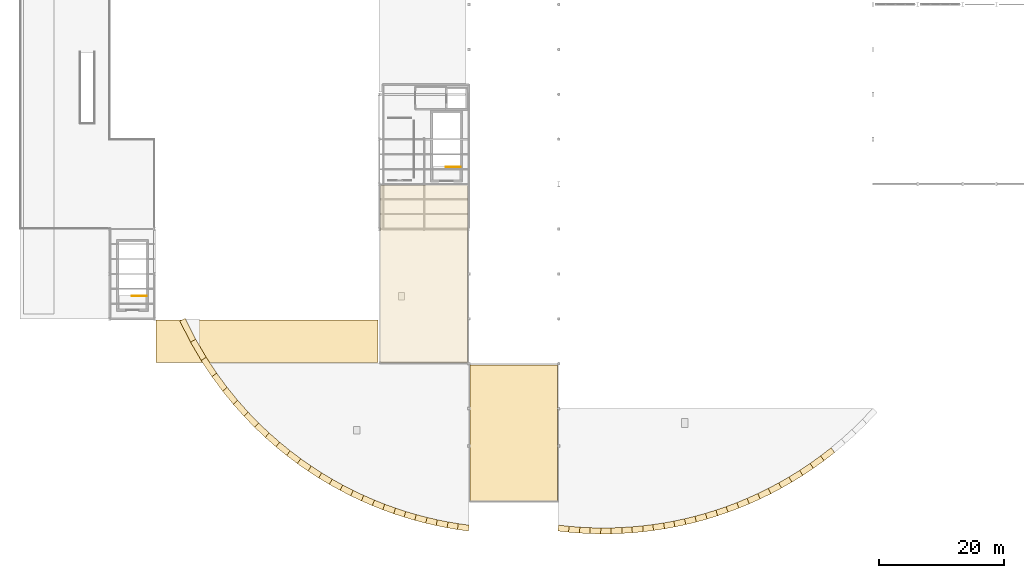
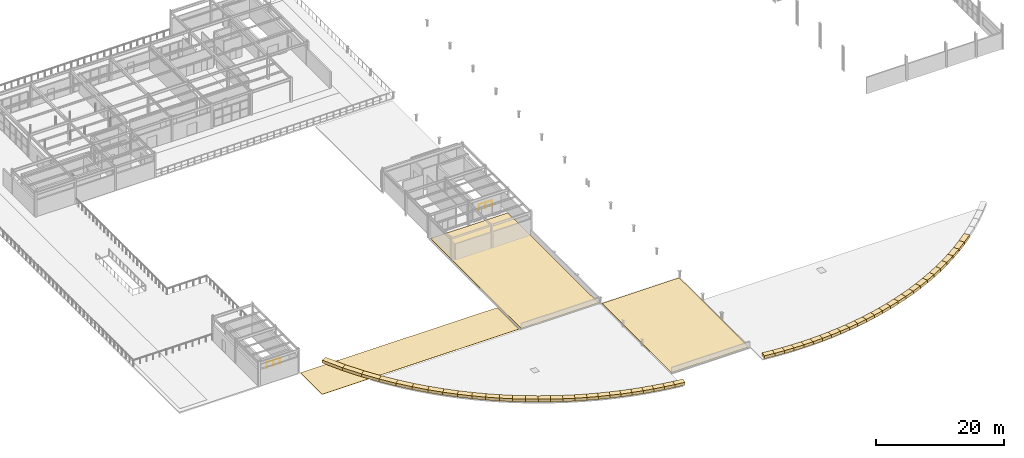
# One storey, part 39 of 41: 56 coverings, 2 railings.
"""IFC4 building model written with IfcOpenShell, lengths in metres."""

from ifc_helpers import new_model, si_unit, direction, frame, origin, origin_2d, place, context, subcontext, project, spatial, polyline, rectangle, circle, outline, extrude, material, layer, layer_set, type_object, element, save


model = new_model("IFC4")

# Units and contexts
model_context = context("Model", 3, precision=1e-05, world=origin(), true_north=direction((0.0, 1.0)))
body_context = subcontext(model_context, "Body", "Model", "MODEL_VIEW")
ifc_project = project(units=[si_unit("LENGTHUNIT", "METRE"), si_unit("AREAUNIT", "SQUARE_METRE"), si_unit("VOLUMEUNIT", "CUBIC_METRE"), si_unit("PLANEANGLEUNIT", "RADIAN"), si_unit("MASSUNIT", "GRAM", prefix="KILO")], contexts=[model_context])

# Site, building, storey
site_placement = place(None, origin())
site = spatial("IfcSite", under=ifc_project, at=site_placement, CompositionType="ELEMENT")
building_placement = place(site_placement, origin())
building = spatial("IfcBuilding", under=site, at=building_placement, Name="Solvadek Multi-Sports Hall", CompositionType="ELEMENT")
storey_placement = place(building_placement, frame((0.0, 0.0, 14.39990234375)))
storey = spatial("IfcBuildingStorey", under=building, at=storey_placement, Name="L03", CompositionType="ELEMENT", Elevation=14.39990234375)

# Coverings
ifc_material_1 = material(Name="Dressed honey-cream limestone ashlar", Category="masonry")
ifc_layer_1 = layer(ifc_material_1, 0.044921875, Name="Dressed honey-cream limestone ashlar")
ifc_layer_set_1 = layer_set([ifc_layer_1], Name="Dressed honey-cream limestone ashlar")
covering_type_1 = type_object("IfcCoveringType", Name="ENV-COV-CLAD45", PredefinedType="CLADDING", material=ifc_layer_set_1)
covering_1_placement = place(storey_placement, frame((26.92333984375, 18.543701171875, 0.68994140625), z_axis=(0.0, 0.0, 1.0), x_axis=(0.451555495273, -0.892243035663, 0.0)))
element("IfcCovering", 1, at=covering_1_placement, inside=storey, type_object=covering_type_1, Name="Crescent Ottoman Crown Cornice W-1", PredefinedType="CLADDING", context=body_context, shape_type="SweptSolid", body=[
    extrude(rectangle(XDim=3.7958984375, YDim=0.949951171875, at=origin_2d()), origin(), (0.0, 0.0, 1.0), 0.550048828125),
])
covering_2_placement = place(storey_placement, frame((28.622314453125, 15.412841796875, 0.68994140625), z_axis=(0.0, 0.0, 1.0), x_axis=(0.504933392767, -0.863158310432, 0.0)))
element("IfcCovering", 2, at=covering_2_placement, inside=storey, type_object=covering_type_1, Name="Crescent Ottoman Crown Cornice W-2", PredefinedType="CLADDING", context=body_context, shape_type="SweptSolid", body=[
    extrude(rectangle(XDim=3.40087890625, YDim=0.949951171875, at=origin_2d()), origin(), (0.0, 0.0, 1.0), 0.550048828125),
])
covering_3_placement = place(storey_placement, frame((30.321533203125, 12.676025390625, 0.68994140625), z_axis=(0.0, 0.0, 1.0), x_axis=(0.551610038251, -0.834102131457, 0.0)))
element("IfcCovering", 3, at=covering_3_placement, inside=storey, type_object=covering_type_1, Name="Crescent Ottoman Crown Cornice W-3", PredefinedType="CLADDING", context=body_context, shape_type="SweptSolid", body=[
    extrude(rectangle(XDim=3.117919921875, YDim=0.949951171875, at=origin_2d()), origin(), (0.0, 0.0, 1.0), 0.550048828125),
])
covering_4_placement = place(storey_placement, frame((32.0205078125, 10.238525390625, 0.68994140625), z_axis=(0.0, 0.0, 1.0), x_axis=(0.593159455627, -0.805085001848, 0.0)))
element("IfcCovering", 4, at=covering_4_placement, inside=storey, type_object=covering_type_1, Name="Crescent Ottoman Crown Cornice W-4", PredefinedType="CLADDING", context=body_context, shape_type="SweptSolid", body=[
    extrude(rectangle(XDim=2.904052734375, YDim=0.949951171875, at=origin_2d()), origin(), (0.0, 0.0, 1.0), 0.550048828125),
])
covering_5_placement = place(storey_placement, frame((33.719482421875, 8.0400390625, 0.68994140625), z_axis=(0.0, 0.0, 1.0), x_axis=(0.630677076434, -0.776045375774, 0.0)))
element("IfcCovering", 5, at=covering_5_placement, inside=storey, type_object=covering_type_1, Name="Crescent Ottoman Crown Cornice W-5", PredefinedType="CLADDING", context=body_context, shape_type="SweptSolid", body=[
    extrude(rectangle(XDim=2.735107421875, YDim=0.949951171875, at=origin_2d()), origin(), (0.0, 0.0, 1.0), 0.550048828125),
])
covering_6_placement = place(storey_placement, frame((35.418701171875, 6.0400390625, 0.68994140625), z_axis=(0.0, 0.0, 1.0), x_axis=(0.664767330468, -0.747050464388, 0.0)))
element("IfcCovering", 6, at=covering_6_placement, inside=storey, type_object=covering_type_1, Name="Crescent Ottoman Crown Cornice W-6", PredefinedType="CLADDING", context=body_context, shape_type="SweptSolid", body=[
    extrude(rectangle(XDim=2.597900390625, YDim=0.949951171875, at=origin_2d()), origin(), (0.0, 0.0, 1.0), 0.550048828125),
])
covering_7_placement = place(storey_placement, frame((37.11767578125, 4.208984375, 0.68994140625), z_axis=(0.0, 0.0, 1.0), x_axis=(0.696004704957, -0.718037220956, 0.0)))
element("IfcCovering", 7, at=covering_7_placement, inside=storey, type_object=covering_type_1, Name="Crescent Ottoman Crown Cornice W-7", PredefinedType="CLADDING", context=body_context, shape_type="SweptSolid", body=[
    extrude(rectangle(XDim=2.48388671875, YDim=0.949951171875, at=origin_2d()), origin(), (0.0, 0.0, 1.0), 0.550048828125),
])
covering_8_placement = place(storey_placement, frame((38.816650390625, 2.52490234375, 0.68994140625), z_axis=(0.0, 0.0, 1.0), x_axis=(0.724733346655, -0.689029445123, 0.0)))
element("IfcCovering", 8, at=covering_8_placement, inside=storey, type_object=covering_type_1, Name="Crescent Ottoman Crown Cornice W-8", PredefinedType="CLADDING", context=body_context, shape_type="SweptSolid", body=[
    extrude(rectangle(XDim=2.386962890625, YDim=0.949951171875, at=origin_2d()), origin(), (0.0, 0.0, 1.0), 0.550048828125),
])
covering_9_placement = place(storey_placement, frame((40.515625, 0.970947265625, 0.68994140625), z_axis=(0.0, 0.0, 1.0), x_axis=(0.751215081629, -0.660057498353, 0.0)))
element("IfcCovering", 9, at=covering_9_placement, inside=storey, type_object=covering_type_1, Name="Crescent Ottoman Crown Cornice W-9", PredefinedType="CLADDING", context=body_context, shape_type="SweptSolid", body=[
    extrude(rectangle(XDim=2.305908203125, YDim=0.949951171875, at=origin_2d()), origin(), (0.0, 0.0, 1.0), 0.550048828125),
])
covering_10_placement = place(storey_placement, frame((42.21484375, -0.466552734375, 0.68994140625), z_axis=(0.0, 0.0, 1.0), x_axis=(0.775755175732, -0.631033998549, 0.0)))
element("IfcCovering", 10, at=covering_10_placement, inside=storey, type_object=covering_type_1, Name="Crescent Ottoman Crown Cornice W-10", PredefinedType="CLADDING", context=body_context, shape_type="SweptSolid", body=[
    extrude(rectangle(XDim=2.235107421875, YDim=0.949951171875, at=origin_2d()), origin(), (0.0, 0.0, 1.0), 0.550048828125),
])
covering_11_placement = place(storey_placement, frame((43.913818359375, -1.798095703125, 0.68994140625), z_axis=(0.0, 0.0, 1.0), x_axis=(0.798475077393, -0.602027865453, 0.0)))
element("IfcCovering", 11, at=covering_11_placement, inside=storey, type_object=covering_type_1, Name="Crescent Ottoman Crown Cornice W-11", PredefinedType="CLADDING", context=body_context, shape_type="SweptSolid", body=[
    extrude(rectangle(XDim=2.173095703125, YDim=0.949951171875, at=origin_2d()), origin(), (0.0, 0.0, 1.0), 0.550048828125),
])
covering_12_placement = place(storey_placement, frame((45.61279296875, -3.03271484375, 0.68994140625), z_axis=(0.0, 0.0, 1.0), x_axis=(0.819512548695, -0.573061238029, 0.0)))
element("IfcCovering", 12, at=covering_12_placement, inside=storey, type_object=covering_type_1, Name="Crescent Ottoman Crown Cornice W-12", PredefinedType="CLADDING", context=body_context, shape_type="SweptSolid", body=[
    extrude(rectangle(XDim=2.117919921875, YDim=0.949951171875, at=origin_2d()), origin(), (0.0, 0.0, 1.0), 0.550048828125),
])
covering_13_placement = place(storey_placement, frame((47.31201171875, -4.177490234375, 0.68994140625), z_axis=(0.0, 0.0, 1.0), x_axis=(0.839053337602, -0.544049167502, 0.0)))
element("IfcCovering", 13, at=covering_13_placement, inside=storey, type_object=covering_type_1, Name="Crescent Ottoman Crown Cornice W-13", PredefinedType="CLADDING", context=body_context, shape_type="SweptSolid", body=[
    extrude(rectangle(XDim=2.070068359375, YDim=0.949951171875, at=origin_2d()), origin(), (0.0, 0.0, 1.0), 0.550048828125),
])
covering_14_placement = place(storey_placement, frame((49.010986328125, -5.239013671875, 0.68994140625), z_axis=(0.0, 0.0, 1.0), x_axis=(0.857129541862, -0.515100910956, 0.0)))
element("IfcCovering", 14, at=covering_14_placement, inside=storey, type_object=covering_type_1, Name="Crescent Ottoman Crown Cornice W-14", PredefinedType="CLADDING", context=body_context, shape_type="SweptSolid", body=[
    extrude(rectangle(XDim=2.028076171875, YDim=0.949951171875, at=origin_2d()), origin(), (0.0, 0.0, 1.0), 0.550048828125),
])
covering_15_placement = place(storey_placement, frame((50.7099609375, -6.221923828125, 0.68994140625), z_axis=(0.0, 0.0, 1.0), x_axis=(0.873929914462, -0.486051956696, 0.0)))
element("IfcCovering", 15, at=covering_15_placement, inside=storey, type_object=covering_type_1, Name="Crescent Ottoman Crown Cornice W-15", PredefinedType="CLADDING", context=body_context, shape_type="SweptSolid", body=[
    extrude(rectangle(XDim=1.989990234375, YDim=0.949951171875, at=origin_2d()), origin(), (0.0, 0.0, 1.0), 0.550048828125),
])
covering_16_placement = place(storey_placement, frame((52.4091796875, -7.131103515625, 0.68994140625), z_axis=(0.0, 0.0, 1.0), x_axis=(0.889426842209, -0.457077556174, 0.0)))
element("IfcCovering", 16, at=covering_16_placement, inside=storey, type_object=covering_type_1, Name="Crescent Ottoman Crown Cornice W-16", PredefinedType="CLADDING", context=body_context, shape_type="SweptSolid", body=[
    extrude(rectangle(XDim=1.95703125, YDim=0.949951171875, at=origin_2d()), origin(), (0.0, 0.0, 1.0), 0.550048828125),
])
covering_17_placement = place(storey_placement, frame((54.108154296875, -7.969970703125, 0.68994140625), z_axis=(0.0, 0.0, 1.0), x_axis=(0.903719292524, -0.428125495994, 0.0)))
element("IfcCovering", 17, at=covering_17_placement, inside=storey, type_object=covering_type_1, Name="Crescent Ottoman Crown Cornice W-17", PredefinedType="CLADDING", context=body_context, shape_type="SweptSolid", body=[
    extrude(rectangle(XDim=1.927001953125, YDim=0.949951171875, at=origin_2d()), origin(), (0.0, 0.0, 1.0), 0.550048828125),
])
covering_18_placement = place(storey_placement, frame((55.80712890625, -8.7421875, 0.68994140625), z_axis=(0.0, 0.0, 1.0), x_axis=(0.916917898667, -0.399075891409, 0.0)))
element("IfcCovering", 18, at=covering_18_placement, inside=storey, type_object=covering_type_1, Name="Crescent Ottoman Crown Cornice W-18", PredefinedType="CLADDING", context=body_context, shape_type="SweptSolid", body=[
    extrude(rectangle(XDim=1.89990234375, YDim=0.949951171875, at=origin_2d()), origin(), (0.0, 0.0, 1.0), 0.550048828125),
])
covering_19_placement = place(storey_placement, frame((57.506103515625, -9.450439453125, 0.68994140625), z_axis=(0.0, 0.0, 1.0), x_axis=(0.92898095972, -0.370127513808, 0.0)))
element("IfcCovering", 19, at=covering_19_placement, inside=storey, type_object=covering_type_1, Name="Crescent Ottoman Crown Cornice W-19", PredefinedType="CLADDING", context=body_context, shape_type="SweptSolid", body=[
    extrude(rectangle(XDim=1.8759765625, YDim=0.949951171875, at=origin_2d()), origin(), (0.0, 0.0, 1.0), 0.550048828125),
])
covering_20_placement = place(storey_placement, frame((59.205322265625, -10.09716796875, 0.68994140625), z_axis=(0.0, 0.0, 1.0), x_axis=(0.940004762404, -0.341161320576, 0.0)))
element("IfcCovering", 20, at=covering_20_placement, inside=storey, type_object=covering_type_1, Name="Crescent Ottoman Crown Cornice W-20", PredefinedType="CLADDING", context=body_context, shape_type="SweptSolid", body=[
    extrude(rectangle(XDim=1.85400390625, YDim=0.949951171875, at=origin_2d()), origin(), (0.0, 0.0, 1.0), 0.550048828125),
])
covering_21_placement = place(storey_placement, frame((60.904296875, -10.6845703125, 0.68994140625), z_axis=(0.0, 0.0, 1.0), x_axis=(0.950042962408, -0.312119159264, 0.0)))
element("IfcCovering", 21, at=covering_21_placement, inside=storey, type_object=covering_type_1, Name="Crescent Ottoman Crown Cornice W-21", PredefinedType="CLADDING", context=body_context, shape_type="SweptSolid", body=[
    extrude(rectangle(XDim=1.8359375, YDim=0.949951171875, at=origin_2d()), origin(), (0.0, 0.0, 1.0), 0.550048828125),
])
covering_22_placement = place(storey_placement, frame((62.603271484375, -11.214599609375, 0.68994140625), z_axis=(0.0, 0.0, 1.0), x_axis=(0.959064393359, -0.2831880813, 0.0)))
element("IfcCovering", 22, at=covering_22_placement, inside=storey, type_object=covering_type_1, Name="Crescent Ottoman Crown Cornice W-22", PredefinedType="CLADDING", context=body_context, shape_type="SweptSolid", body=[
    extrude(rectangle(XDim=1.819091796875, YDim=0.949951171875, at=origin_2d()), origin(), (0.0, 0.0, 1.0), 0.550048828125),
])
covering_23_placement = place(storey_placement, frame((64.302490234375, -11.688720703125, 0.68994140625), z_axis=(0.0, 0.0, 1.0), x_axis=(0.967172504077, -0.25412073382, 0.0)))
element("IfcCovering", 23, at=covering_23_placement, inside=storey, type_object=covering_type_1, Name="Crescent Ottoman Crown Cornice W-23", PredefinedType="CLADDING", context=body_context, shape_type="SweptSolid", body=[
    extrude(rectangle(XDim=1.803955078125, YDim=0.949951171875, at=origin_2d()), origin(), (0.0, 0.0, 1.0), 0.550048828125),
])
covering_24_placement = place(storey_placement, frame((66.00146484375, -12.108154296875, 0.68994140625), z_axis=(0.0, 0.0, 1.0), x_axis=(0.974313261817, -0.225196953459, 0.0)))
element("IfcCovering", 24, at=covering_24_placement, inside=storey, type_object=covering_type_1, Name="Crescent Ottoman Crown Cornice W-24", PredefinedType="CLADDING", context=body_context, shape_type="SweptSolid", body=[
    extrude(rectangle(XDim=1.791015625, YDim=0.949951171875, at=origin_2d()), origin(), (0.0, 0.0, 1.0), 0.550048828125),
])
covering_25_placement = place(storey_placement, frame((67.700439453125, -12.474609375, 0.68994140625), z_axis=(0.0, 0.0, 1.0), x_axis=(0.980567259161, -0.196183205861, 0.0)))
element("IfcCovering", 25, at=covering_25_placement, inside=storey, type_object=covering_type_1, Name="Crescent Ottoman Crown Cornice W-25", PredefinedType="CLADDING", context=body_context, shape_type="SweptSolid", body=[
    extrude(rectangle(XDim=1.780029296875, YDim=0.949951171875, at=origin_2d()), origin(), (0.0, 0.0, 1.0), 0.550048828125),
])
covering_26_placement = place(storey_placement, frame((69.3994140625, -12.78857421875, 0.68994140625), z_axis=(0.0, 0.0, 1.0), x_axis=(0.985919127793, -0.16722282575, 0.0)))
element("IfcCovering", 26, at=covering_26_placement, inside=storey, type_object=covering_type_1, Name="Crescent Ottoman Crown Cornice W-26", PredefinedType="CLADDING", context=body_context, shape_type="SweptSolid", body=[
    extrude(rectangle(XDim=1.77099609375, YDim=0.949951171875, at=origin_2d()), origin(), (0.0, 0.0, 1.0), 0.550048828125),
])
covering_27_placement = place(storey_placement, frame((71.098388671875, -13.05126953125, 0.68994140625), z_axis=(0.0, 0.0, 1.0), x_axis=(0.990403400267, -0.138206746357, 0.0)))
element("IfcCovering", 27, at=covering_27_placement, inside=storey, type_object=covering_type_1, Name="Crescent Ottoman Crown Cornice W-27", PredefinedType="CLADDING", context=body_context, shape_type="SweptSolid", body=[
    extrude(rectangle(XDim=1.762939453125, YDim=0.949951171875, at=origin_2d()), origin(), (0.0, 0.0, 1.0), 0.550048828125),
])
covering_28_placement = place(storey_placement, frame((87.194091796875, -13.2626953125, 0.68994140625), z_axis=(0.0, 0.0, 1.0), x_axis=(0.99401078481, -0.109282019021, 0.0)))
element("IfcCovering", 28, at=covering_28_placement, inside=storey, type_object=covering_type_1, Name="Crescent Ottoman Crown Cornice E-1", PredefinedType="CLADDING", context=body_context, shape_type="SweptSolid", body=[
    extrude(rectangle(XDim=1.75, YDim=0.949951171875, at=origin_2d()), origin(), (0.0, 0.0, 1.0), 0.550048828125),
])
covering_29_placement = place(storey_placement, frame((88.88623046875, -13.424072265625, 0.68994140625), z_axis=(0.0, 0.0, 1.0), x_axis=(0.996758432085, -0.080452644873, 0.0)))
element("IfcCovering", 29, at=covering_29_placement, inside=storey, type_object=covering_type_1, Name="Crescent Ottoman Crown Cornice E-2", PredefinedType="CLADDING", context=body_context, shape_type="SweptSolid", body=[
    extrude(rectangle(XDim=1.7451171875, YDim=0.949951171875, at=origin_2d()), origin(), (0.0, 0.0, 1.0), 0.550048828125),
])
covering_30_placement = place(storey_placement, frame((90.578369140625, -13.535888671875, 0.68994140625), z_axis=(0.0, 0.0, 1.0), x_axis=(0.998671005445, -0.051538557245, 0.0)))
element("IfcCovering", 30, at=covering_30_placement, inside=storey, type_object=covering_type_1, Name="Crescent Ottoman Crown Cornice E-3", PredefinedType="CLADDING", context=body_context, shape_type="SweptSolid", body=[
    extrude(rectangle(XDim=1.741943359375, YDim=0.949951171875, at=origin_2d()), origin(), (0.0, 0.0, 1.0), 0.550048828125),
])
for number, where, z_axis, x_axis, name in (
    (31, (92.2705078125, -13.598876953125, 0.68994140625), (0.0, 0.0, 1.0), (0.999742940353, -0.02267274168, 0.0), "Crescent Ottoman Crown Cornice E-4"),
    (32, (93.962646484375, -13.61279296875, 0.68994140625), (0.0, 0.0, 1.0), (0.999980839553, 0.006190357575, 0.0), "Crescent Ottoman Crown Cornice E-5"),
):
    element("IfcCovering", number, at=place(storey_placement, frame(where, z_axis=z_axis, x_axis=x_axis)), inside=storey, type_object=covering_type_1, Name=name, PredefinedType="CLADDING", context=body_context, shape_type="SweptSolid", body=[
        extrude(rectangle(XDim=1.739990234375, YDim=0.949951171875, at=origin_2d()), origin(), (0.0, 0.0, 1.0), 0.550048828125),
    ])
covering_31_placement = place(storey_placement, frame((95.65478515625, -13.577880859375, 0.68994140625), z_axis=(0.0, 0.0, 1.0), x_axis=(0.999385980888, 0.035037996585, 0.0)))
element("IfcCovering", 33, at=covering_31_placement, inside=storey, type_object=covering_type_1, Name="Crescent Ottoman Crown Cornice E-6", PredefinedType="CLADDING", context=body_context, shape_type="SweptSolid", body=[
    extrude(rectangle(XDim=1.740966796875, YDim=0.949951171875, at=origin_2d()), origin(), (0.0, 0.0, 1.0), 0.550048828125),
])
covering_32_placement = place(storey_placement, frame((97.346923828125, -13.494140625, 0.68994140625), z_axis=(0.0, 0.0, 1.0), x_axis=(0.997955239955, 0.063916657037, 0.0)))
element("IfcCovering", 34, at=covering_32_placement, inside=storey, type_object=covering_type_1, Name="Crescent Ottoman Crown Cornice E-7", PredefinedType="CLADDING", context=body_context, shape_type="SweptSolid", body=[
    extrude(rectangle(XDim=1.742919921875, YDim=0.949951171875, at=origin_2d()), origin(), (0.0, 0.0, 1.0), 0.550048828125),
])
covering_33_placement = place(storey_placement, frame((99.0390625, -13.361083984375, 0.68994140625), z_axis=(0.0, 0.0, 1.0), x_axis=(0.995683656408, 0.092811940833, 0.0)))
element("IfcCovering", 35, at=covering_33_placement, inside=storey, type_object=covering_type_1, Name="Crescent Ottoman Crown Cornice E-8", PredefinedType="CLADDING", context=body_context, shape_type="SweptSolid", body=[
    extrude(rectangle(XDim=1.7470703125, YDim=0.949951171875, at=origin_2d()), origin(), (0.0, 0.0, 1.0), 0.550048828125),
])
covering_34_placement = place(storey_placement, frame((100.731201171875, -13.178466796875, 0.68994140625), z_axis=(0.0, 0.0, 1.0), x_axis=(0.992573145786, 0.121649292087, 0.0)))
element("IfcCovering", 36, at=covering_34_placement, inside=storey, type_object=covering_type_1, Name="Crescent Ottoman Crown Cornice E-9", PredefinedType="CLADDING", context=body_context, shape_type="SweptSolid", body=[
    extrude(rectangle(XDim=1.7529296875, YDim=0.949951171875, at=origin_2d()), origin(), (0.0, 0.0, 1.0), 0.550048828125),
])
covering_35_placement = place(storey_placement, frame((102.42333984375, -12.94580078125, 0.68994140625), z_axis=(0.0, 0.0, 1.0), x_axis=(0.988605895809, 0.15052701675, 0.0)))
element("IfcCovering", 37, at=covering_35_placement, inside=storey, type_object=covering_type_1, Name="Crescent Ottoman Crown Cornice E-10", PredefinedType="CLADDING", context=body_context, shape_type="SweptSolid", body=[
    extrude(rectangle(XDim=1.759033203125, YDim=0.949951171875, at=origin_2d()), origin(), (0.0, 0.0, 1.0), 0.550048828125),
])
covering_36_placement = place(storey_placement, frame((104.115478515625, -12.662841796875, 0.68994140625), z_axis=(0.0, 0.0, 1.0), x_axis=(0.983772323835, 0.179421333339, 0.0)))
element("IfcCovering", 38, at=covering_36_placement, inside=storey, type_object=covering_type_1, Name="Crescent Ottoman Crown Cornice E-11", PredefinedType="CLADDING", context=body_context, shape_type="SweptSolid", body=[
    extrude(rectangle(XDim=1.76806640625, YDim=0.949951171875, at=origin_2d()), origin(), (0.0, 0.0, 1.0), 0.550048828125),
])
covering_37_placement = place(storey_placement, frame((105.807373046875, -12.328369140625, 0.68994140625), z_axis=(0.0, 0.0, 1.0), x_axis=(0.978075914323, 0.208248663432, 0.0)))
element("IfcCovering", 39, at=covering_37_placement, inside=storey, type_object=covering_type_1, Name="Crescent Ottoman Crown Cornice E-12", PredefinedType="CLADDING", context=body_context, shape_type="SweptSolid", body=[
    extrude(rectangle(XDim=1.778076171875, YDim=0.949951171875, at=origin_2d()), origin(), (0.0, 0.0, 1.0), 0.550048828125),
])
covering_38_placement = place(storey_placement, frame((107.49951171875, -11.941650390625, 0.68994140625), z_axis=(0.0, 0.0, 1.0), x_axis=(0.971474540489, 0.237143874435, 0.0)))
element("IfcCovering", 40, at=covering_38_placement, inside=storey, type_object=covering_type_1, Name="Crescent Ottoman Crown Cornice E-13", PredefinedType="CLADDING", context=body_context, shape_type="SweptSolid", body=[
    extrude(rectangle(XDim=1.7890625, YDim=0.949951171875, at=origin_2d()), origin(), (0.0, 0.0, 1.0), 0.550048828125),
])
covering_39_placement = place(storey_placement, frame((109.191650390625, -11.501708984375, 0.68994140625), z_axis=(0.0, 0.0, 1.0), x_axis=(0.963970297161, 0.266009898671, 0.0)))
element("IfcCovering", 41, at=covering_39_placement, inside=storey, type_object=covering_type_1, Name="Crescent Ottoman Crown Cornice E-14", PredefinedType="CLADDING", context=body_context, shape_type="SweptSolid", body=[
    extrude(rectangle(XDim=1.802978515625, YDim=0.949951171875, at=origin_2d()), origin(), (0.0, 0.0, 1.0), 0.550048828125),
])
covering_40_placement = place(storey_placement, frame((110.8837890625, -11.007080078125, 0.68994140625), z_axis=(0.0, 0.0, 1.0), x_axis=(0.955526555938, 0.294905070993, 0.0)))
element("IfcCovering", 42, at=covering_40_placement, inside=storey, type_object=covering_type_1, Name="Crescent Ottoman Crown Cornice E-15", PredefinedType="CLADDING", context=body_context, shape_type="SweptSolid", body=[
    extrude(rectangle(XDim=1.818115234375, YDim=0.949951171875, at=origin_2d()), origin(), (0.0, 0.0, 1.0), 0.550048828125),
])
covering_41_placement = place(storey_placement, frame((112.575927734375, -10.45654296875, 0.68994140625), z_axis=(0.0, 0.0, 1.0), x_axis=(0.946153090794, 0.323719521778, 0.0)))
element("IfcCovering", 43, at=covering_41_placement, inside=storey, type_object=covering_type_1, Name="Crescent Ottoman Crown Cornice E-16", PredefinedType="CLADDING", context=body_context, shape_type="SweptSolid", body=[
    extrude(rectangle(XDim=1.8359375, YDim=0.949951171875, at=origin_2d()), origin(), (0.0, 0.0, 1.0), 0.550048828125),
])
covering_42_placement = place(storey_placement, frame((114.26806640625, -9.84814453125, 0.68994140625), z_axis=(0.0, 0.0, 1.0), x_axis=(0.935760271469, 0.352636802305, 0.0)))
element("IfcCovering", 44, at=covering_42_placement, inside=storey, type_object=covering_type_1, Name="Crescent Ottoman Crown Cornice E-17", PredefinedType="CLADDING", context=body_context, shape_type="SweptSolid", body=[
    extrude(rectangle(XDim=1.85498046875, YDim=0.949951171875, at=origin_2d()), origin(), (0.0, 0.0, 1.0), 0.550048828125),
])
covering_43_placement = place(storey_placement, frame((115.960205078125, -9.18017578125, 0.68994140625), z_axis=(0.0, 0.0, 1.0), x_axis=(0.924380401082, 0.381471983369, 0.0)))
element("IfcCovering", 45, at=covering_43_placement, inside=storey, type_object=covering_type_1, Name="Crescent Ottoman Crown Cornice E-18", PredefinedType="CLADDING", context=body_context, shape_type="SweptSolid", body=[
    extrude(rectangle(XDim=1.876953125, YDim=0.949951171875, at=origin_2d()), origin(), (0.0, 0.0, 1.0), 0.550048828125),
])
covering_44_placement = place(storey_placement, frame((117.65234375, -8.4501953125, 0.68994140625), z_axis=(0.0, 0.0, 1.0), x_axis=(0.911921505175, 0.41036467733, 0.0)))
element("IfcCovering", 46, at=covering_44_placement, inside=storey, type_object=covering_type_1, Name="Crescent Ottoman Crown Cornice E-19", PredefinedType="CLADDING", context=body_context, shape_type="SweptSolid", body=[
    extrude(rectangle(XDim=1.902099609375, YDim=0.949951171875, at=origin_2d()), origin(), (0.0, 0.0, 1.0), 0.550048828125),
])
covering_45_placement = place(storey_placement, frame((119.344482421875, -7.656005859375, 0.68994140625), z_axis=(0.0, 0.0, 1.0), x_axis=(0.898370293848, 0.439238904392, 0.0)))
element("IfcCovering", 47, at=covering_45_placement, inside=storey, type_object=covering_type_1, Name="Crescent Ottoman Crown Cornice E-20", PredefinedType="CLADDING", context=body_context, shape_type="SweptSolid", body=[
    extrude(rectangle(XDim=1.929931640625, YDim=0.949951171875, at=origin_2d()), origin(), (0.0, 0.0, 1.0), 0.550048828125),
])
covering_46_placement = place(storey_placement, frame((121.03662109375, -6.794189453125, 0.68994140625), z_axis=(0.0, 0.0, 1.0), x_axis=(0.883681698244, 0.468088299565, 0.0)))
element("IfcCovering", 48, at=covering_46_placement, inside=storey, type_object=covering_type_1, Name="Crescent Ottoman Crown Cornice E-21", PredefinedType="CLADDING", context=body_context, shape_type="SweptSolid", body=[
    extrude(rectangle(XDim=1.9609375, YDim=0.949951171875, at=origin_2d()), origin(), (0.0, 0.0, 1.0), 0.550048828125),
])
covering_47_placement = place(storey_placement, frame((122.728759765625, -5.861328125, 0.68994140625), z_axis=(0.0, 0.0, 1.0), x_axis=(0.867753217729, 0.496995325049, 0.0)))
element("IfcCovering", 49, at=covering_47_placement, inside=storey, type_object=covering_type_1, Name="Crescent Ottoman Crown Cornice E-22", PredefinedType="CLADDING", context=body_context, shape_type="SweptSolid", body=[
    extrude(rectangle(XDim=1.99609375, YDim=0.949951171875, at=origin_2d()), origin(), (0.0, 0.0, 1.0), 0.550048828125),
])
covering_48_placement = place(storey_placement, frame((124.4208984375, -4.853759765625, 0.68994140625), z_axis=(0.0, 0.0, 1.0), x_axis=(0.850582217599, 0.525842078103, 0.0)))
element("IfcCovering", 50, at=covering_48_placement, inside=storey, type_object=covering_type_1, Name="Crescent Ottoman Crown Cornice E-23", PredefinedType="CLADDING", context=body_context, shape_type="SweptSolid", body=[
    extrude(rectangle(XDim=2.034912109375, YDim=0.949951171875, at=origin_2d()), origin(), (0.0, 0.0, 1.0), 0.550048828125),
])
covering_49_placement = place(storey_placement, frame((126.113037109375, -3.7666015625, 0.68994140625), z_axis=(0.0, 0.0, 1.0), x_axis=(0.832027435734, 0.5547344826, 0.0)))
element("IfcCovering", 51, at=covering_49_placement, inside=storey, type_object=covering_type_1, Name="Crescent Ottoman Crown Cornice E-24", PredefinedType="CLADDING", context=body_context, shape_type="SweptSolid", body=[
    extrude(rectangle(XDim=2.0791015625, YDim=0.949951171875, at=origin_2d()), origin(), (0.0, 0.0, 1.0), 0.550048828125),
])
covering_50_placement = place(storey_placement, frame((127.80517578125, -2.594482421875, 0.68994140625), z_axis=(0.0, 0.0, 1.0), x_axis=(0.812061184697, 0.583572302554, 0.0)))
element("IfcCovering", 52, at=covering_50_placement, inside=storey, type_object=covering_type_1, Name="Crescent Ottoman Crown Cornice E-25", PredefinedType="CLADDING", context=body_context, shape_type="SweptSolid", body=[
    extrude(rectangle(XDim=2.12890625, YDim=0.949951171875, at=origin_2d()), origin(), (0.0, 0.0, 1.0), 0.550048828125),
])
covering_51_placement = place(storey_placement, frame((129.497314453125, -1.3310546875, 0.68994140625), z_axis=(0.0, 0.0, 1.0), x_axis=(0.790483393841, 0.61248347248, 0.0)))
element("IfcCovering", 53, at=covering_51_placement, inside=storey, type_object=covering_type_1, Name="Crescent Ottoman Crown Cornice E-26", PredefinedType="CLADDING", context=body_context, shape_type="SweptSolid", body=[
    extrude(rectangle(XDim=2.18505859375, YDim=0.949951171875, at=origin_2d()), origin(), (0.0, 0.0, 1.0), 0.550048828125),
])
ifc_material_2 = material(Name="SBS elastomeric verdigris roof membrane")
ifc_layer_2 = layer(ifc_material_2, 0.06005859375, Name="SBS elastomeric verdigris roof membrane")
ifc_layer_set_2 = layer_set([ifc_layer_2], Name="SBS elastomeric verdigris roof membrane")
covering_type_2 = type_object("IfcCoveringType", Name="ENV-COV-ROOF60", PredefinedType="ROOFING", material=ifc_layer_set_2)
covering_52_placement = place(storey_placement, origin())
element("IfcCovering", 54, at=covering_52_placement, inside=storey, type_object=covering_type_2, Name="L03 SBS Elastomeric Cool-Roof Membrane #2", PredefinedType="ROOFING", context=body_context, shape_type="SweptSolid", body=[
    extrude(outline(polyline([(72.199951171875, -8.800048828125), (86.199951171875, -8.800048828125), (86.199951171875, 13.0), (72.199951171875, 13.0), (72.199951171875, -8.800048828125)])), origin(), (0.0, 0.0, 1.0), 0.06005859375),
])
covering_53_placement = place(storey_placement, origin())
element("IfcCovering", 55, at=covering_53_placement, inside=storey, type_object=covering_type_2, Name="L03 SBS Elastomeric Cool-Roof Membrane #3", PredefinedType="ROOFING", context=body_context, shape_type="SweptSolid", body=[
    extrude(outline(polyline([(21.800048828125, 13.39990234375), (57.39990234375, 13.39990234375), (57.39990234375, 20.199951171875), (21.800048828125, 20.199951171875), (21.800048828125, 13.39990234375)])), origin(), (0.0, 0.0, 1.0), 0.06005859375),
])
covering_54_placement = place(storey_placement, origin())
element("IfcCovering", 56, at=covering_54_placement, inside=storey, type_object=covering_type_2, Name="L03 SBS Elastomeric Cool-Roof Membrane #4", PredefinedType="ROOFING", context=body_context, shape_type="SweptSolid", body=[
    extrude(outline(polyline([(57.800048828125, 13.39990234375), (71.800048828125, 13.39990234375), (71.800048828125, 41.800048828125), (57.800048828125, 41.800048828125), (57.800048828125, 13.39990234375)])), origin(), (0.0, 0.0, 1.0), 0.06005859375),
])

# Railings
ifc_material_3 = material(Name="Steel E250 (250 MPa)", Category="steel")
railing_type = type_object("IfcRailingType", Name="INT-RAL-GRD115", PredefinedType="BALUSTRADE", material=ifc_material_3)
railing_1_placement = place(storey_placement, frame((20.300048828125, 24.050048828125, 0.0)))
element("IfcRailing", 57, at=railing_1_placement, inside=storey, type_object=railing_type, Name="L03 ST-01 top well guard 1", PredefinedType="BALUSTRADE", context=body_context, shape_type="SweptSolid", body=[
    extrude(circle(Radius=0.02392578125, at=origin_2d()), frame((0.0, 0.0, 1.076171875), z_axis=(-1.0, 0.0, 0.0), x_axis=(0.0, -1.0, 0.0)), (0.0, 0.0, 1.0), 2.35009765625),
    extrude(circle(Radius=0.02099609375, at=origin_2d()), origin(), (0.0, 0.0, 1.0), 1.052001953125),
    extrude(circle(Radius=0.02099609375, at=origin_2d()), frame((-1.175048828125, 0.0, 0.0)), (0.0, 0.0, 1.0), 1.052001953125),
    extrude(circle(Radius=0.02099609375, at=origin_2d()), frame((-2.35009765625, 0.0, 0.0)), (0.0, 0.0, 1.0), 1.052001953125),
])
railing_2_placement = place(storey_placement, frame((70.64990234375, 44.75, 0.0)))
element("IfcRailing", 58, at=railing_2_placement, inside=storey, type_object=railing_type, Name="L03 ST-04 top well guard 1", PredefinedType="BALUSTRADE", context=body_context, shape_type="SweptSolid", body=[
    extrude(circle(Radius=0.02392578125, at=origin_2d()), frame((0.0, 0.0, 1.076171875), z_axis=(-1.0, 0.0, 0.0), x_axis=(0.0, -1.0, 0.0)), (0.0, 0.0, 1.0), 2.349853515625),
    extrude(circle(Radius=0.02099609375, at=origin_2d()), origin(), (0.0, 0.0, 1.0), 1.052001953125),
    extrude(circle(Radius=0.02099609375, at=origin_2d()), frame((-1.1748046875, 0.0, 0.0)), (0.0, 0.0, 1.0), 1.052001953125),
    extrude(circle(Radius=0.02099609375, at=origin_2d()), frame((-2.349853515625, 0.0, 0.0)), (0.0, 0.0, 1.0), 1.052001953125),
])

save(model, "model.ifc")
